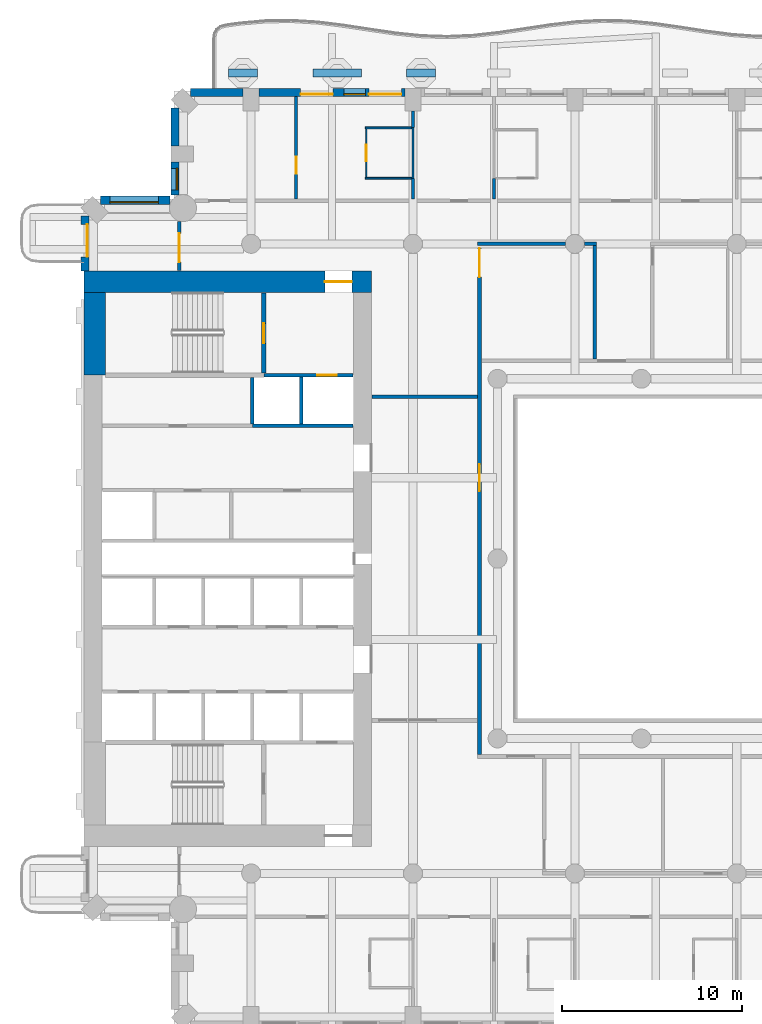
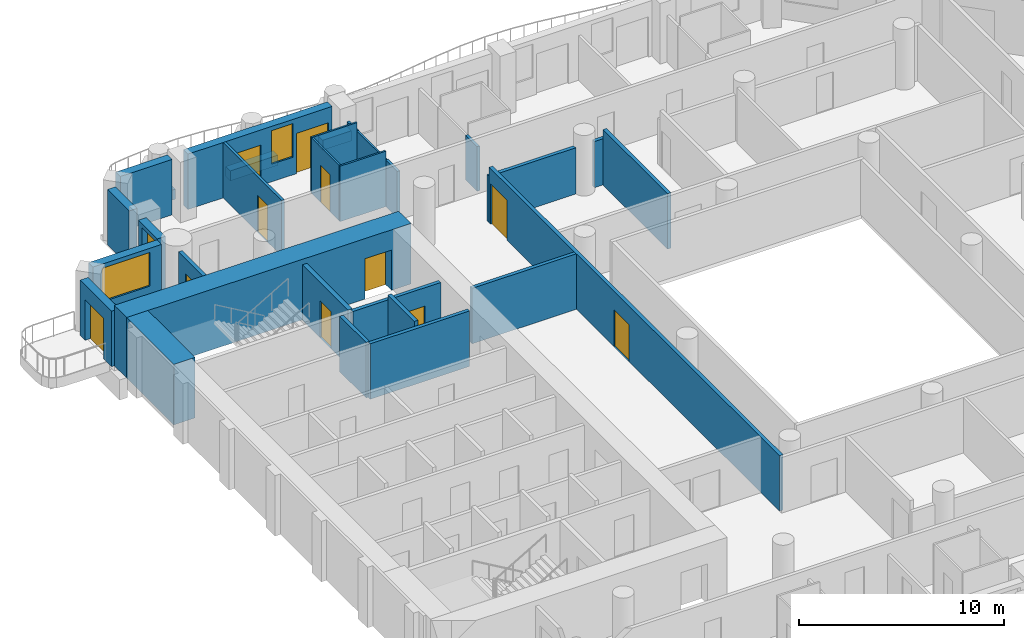
# One storey, part 7 of 19: 30 walls, 11 doors, 3 windows, 14 openings.
"""IFC4 building model written with IfcOpenShell, lengths in metres."""

from ifc_helpers import new_model, si_unit, direction, frame, frame_2d, origin, place, context, subcontext, project, spatial, rectangle, extrude, material, layer, layer_set, type_object, element, fill, save


model = new_model("IFC4")

# Units and contexts
model_context = context("Model", 3, precision=1e-05, world=origin(), true_north=direction((0.0, 1.0)))
body_context = subcontext(model_context, "Body", "Model", "MODEL_VIEW")
ifc_project = project(units=[si_unit("LENGTHUNIT", "METRE"), si_unit("AREAUNIT", "SQUARE_METRE"), si_unit("VOLUMEUNIT", "CUBIC_METRE"), si_unit("PLANEANGLEUNIT", "RADIAN"), si_unit("MASSUNIT", "GRAM", prefix="KILO")], contexts=[model_context])

# Site, building, storey
site_placement = place(None, origin())
site = spatial("IfcSite", under=ifc_project, at=site_placement, CompositionType="ELEMENT")
building_placement = place(site_placement, origin())
building = spatial("IfcBuilding", under=site, at=building_placement, Name="Cypress Arch Tower", CompositionType="ELEMENT")
storey_placement = place(building_placement, frame((0.0, 0.0, 105.89990234375)))
storey = spatial("IfcBuildingStorey", under=building, at=storey_placement, Name="L21", CompositionType="ELEMENT", Elevation=105.89990234375)

# Walls
ifc_material_1 = material(Name="Concrete C40/50, waterproofed", Category="concrete")
ifc_layer_1 = layer(ifc_material_1, 0.449951171875)
ifc_layer_set_1 = layer_set([ifc_layer_1], Name="Balcony planter wall PW450")
wall_type_1 = type_object("IfcWallType", Name="Balcony planter wall PW450", PredefinedType="SOLIDWALL", material=ifc_layer_set_1)
wall_1_placement = place(storey_placement, frame((-10.4375, 27.0, 0.0), z_axis=(0.0, 0.0, 1.0), x_axis=(-1.0, 0.0, 0.0)))
element("IfcWall", 1, at=wall_1_placement, inside=storey, type_object=wall_type_1, Name="Balcony planter wall L21-A08.4", PredefinedType="SOLIDWALL", context=body_context, shape_type="SweptSolid", body=[
    extrude(rectangle(XDim=1.612548828125, YDim=0.449951171875, at=frame_2d((0.80615234375, 0.0))), origin(), (0.0, 0.0, 1.0), 0.60009765625),
])
wall_2_placement = place(storey_placement, frame((-14.574951171875, 27.0, 0.0), z_axis=(0.0, 0.0, 1.0), x_axis=(-1.0, 0.0, 0.0)))
element("IfcWall", 2, at=wall_2_placement, inside=storey, type_object=wall_type_1, Name="Balcony planter wall L21-A08.5", PredefinedType="SOLIDWALL", context=body_context, shape_type="SweptSolid", body=[
    extrude(rectangle(XDim=2.675048828125, YDim=0.449951171875, at=frame_2d((1.33740234375, 0.0))), origin(), (0.0, 0.0, 1.0), 0.60009765625),
])
wall_3_placement = place(storey_placement, frame((-20.35009765625, 27.0, 0.0), z_axis=(0.0, 0.0, 1.0), x_axis=(-1.0, 0.0, 0.0)))
element("IfcWall", 3, at=wall_3_placement, inside=storey, type_object=wall_type_1, Name="Balcony planter wall L21-A08.6", PredefinedType="SOLIDWALL", context=body_context, shape_type="SweptSolid", body=[
    extrude(rectangle(XDim=1.599853515625, YDim=0.449951171875, at=frame_2d((0.7998046875, 0.0))), origin(), (0.0, 0.0, 1.0), 0.60009765625),
])

# Wall, opening, door
ifc_material_2 = material(Name="Brick (red buff blend)", Category="masonry")
ifc_layer_2 = layer(ifc_material_2, 0.449951171875)
ifc_layer_set_2 = layer_set([ifc_layer_2], Name="Brick pier and spandrel wall BW450")
wall_type_2 = type_object("IfcWallType", Name="Brick pier and spandrel wall BW450", PredefinedType="SOLIDWALL", material=ifc_layer_set_2)
wall_4_placement = place(storey_placement, frame((-29.925048828125, 19.063720703125, 0.0), z_axis=(0.0, 0.0, 1.0), x_axis=(0.0, -1.0, 0.0)))
wall_4 = element("IfcWall", 4, at=wall_4_placement, inside=storey, type_object=wall_type_2, Name="Brick wall L21 A00.0", PredefinedType="SOLIDWALL", context=body_context, shape_type="SweptSolid", body=[
    extrude(rectangle(XDim=3.063720703125, YDim=0.449951171875, at=frame_2d((1.53173828125, 0.0))), origin(), (0.0, 0.0, 1.0), 3.300048828125),
])
opening_1_placement = place(wall_4_placement, frame((0.481689453125, 0.0, 0.0)))
opening_1 = element("IfcOpeningElement", 5, at=opening_1_placement, cuts=wall_4, Name="Opening D-L21-A00.0.1", PredefinedType="OPENING", context=body_context, shape_type="SweptSolid", body=[
    extrude(rectangle(XDim=1.800048828125, YDim=2.39990234375, at=frame_2d((0.89990234375, 1.199951171875))), frame((0.0, 0.23486328125, 0.0), z_axis=(0.0, -1.0, 0.0), x_axis=(1.0, 0.0, 0.0)), (0.0, 0.0, 1.0), 0.469970703125),
])
ifc_material_3 = material(Name="Anodised aluminium, bronze finish, laminated low-emissivity double glazing, large-missile impact rated", Category="aluminium")
door_type_1 = type_object("IfcDoorType", Name="Balcony sliding door 1800x2400", OperationType="SLIDING_TO_LEFT", PredefinedType="DOOR", material=ifc_material_3)
door_1_placement = place(opening_1_placement, origin())
door_1 = element("IfcDoor", 6, at=door_1_placement, inside=storey, type_object=door_type_1, Name="Balcony door L21 A00.0.1", OperationType="SLIDING_TO_LEFT", OverallHeight=2.39990234375, OverallWidth=1.800048828125, PredefinedType="DOOR", context=body_context, shape_type="SweptSolid", body=[
    extrude(rectangle(XDim=1.800048828125, YDim=2.39990234375, at=frame_2d((0.89990234375, 1.199951171875))), frame((0.0, 0.1298828125, 0.0), z_axis=(0.0, -1.0, 0.0), x_axis=(1.0, 0.0, 0.0)), (0.0, 0.0, 1.0), 0.050048828125),
])
fill(opening_1, door_1)

# Wall, openings, doors, window
wall_5_placement = place(storey_placement, frame((-12.14990234375, 25.925048828125, 0.0), z_axis=(0.0, 0.0, 1.0), x_axis=(-1.0, 0.0, 0.0)))
wall_5 = element("IfcWall", 7, at=wall_5_placement, inside=storey, type_object=wall_type_2, Name="Brick wall L21 A08.3", PredefinedType="SOLIDWALL", context=body_context, shape_type="SweptSolid", body=[
    extrude(rectangle(XDim=8.10009765625, YDim=0.449951171875, at=frame_2d((4.050048828125, 0.0))), origin(), (0.0, 0.0, 1.0), 3.300048828125),
])
opening_2_placement = place(wall_5_placement, frame((0.199951171875, 0.0, 0.0)))
opening_2 = element("IfcOpeningElement", 8, at=opening_2_placement, cuts=wall_5, Name="Opening D-L21-A08.3.1", PredefinedType="OPENING", context=body_context, shape_type="SweptSolid", body=[
    extrude(rectangle(XDim=1.800048828125, YDim=2.39990234375, at=frame_2d((0.89990234375, 1.199951171875))), frame((0.0, 0.23486328125, 0.0), z_axis=(0.0, -1.0, 0.0), x_axis=(1.0, 0.0, 0.0)), (0.0, 0.0, 1.0), 0.469970703125),
])
opening_3_placement = place(wall_5_placement, frame((2.199951171875, 0.0, 1.050048828125)))
opening_3 = element("IfcOpeningElement", 9, at=opening_3_placement, cuts=wall_5, Name="Opening W120HD", PredefinedType="OPENING", context=body_context, shape_type="SweptSolid", body=[
    extrude(rectangle(XDim=1.199951171875, YDim=2.0, at=frame_2d((0.60009765625, 1.0))), frame((0.0, 0.23486328125, 0.0), z_axis=(0.0, -1.0, 0.0), x_axis=(1.0, 0.0, 0.0)), (0.0, 0.0, 1.0), 0.469970703125),
])
opening_4_placement = place(wall_5_placement, frame((4.0, 0.0, 0.0)))
opening_4 = element("IfcOpeningElement", 10, at=opening_4_placement, cuts=wall_5, Name="Opening D-L21-A08.3.2", PredefinedType="OPENING", context=body_context, shape_type="SweptSolid", body=[
    extrude(rectangle(XDim=1.800048828125, YDim=2.39990234375, at=frame_2d((0.89990234375, 1.199951171875))), frame((0.0, 0.23486328125, 0.0), z_axis=(0.0, -1.0, 0.0), x_axis=(1.0, 0.0, 0.0)), (0.0, 0.0, 1.0), 0.469970703125),
])
door_2_placement = place(opening_2_placement, origin())
door_2 = element("IfcDoor", 11, at=door_2_placement, inside=storey, type_object=door_type_1, Name="Balcony door L21 A08.3.1", OperationType="SLIDING_TO_LEFT", OverallHeight=2.39990234375, OverallWidth=1.800048828125, PredefinedType="DOOR", context=body_context, shape_type="SweptSolid", body=[
    extrude(rectangle(XDim=1.800048828125, YDim=2.39990234375, at=frame_2d((0.89990234375, 1.199951171875))), frame((0.0, 0.1298828125, 0.0), z_axis=(0.0, -1.0, 0.0), x_axis=(1.0, 0.0, 0.0)), (0.0, 0.0, 1.0), 0.050048828125),
])
fill(opening_2, door_2)
door_3_placement = place(opening_4_placement, origin())
door_3 = element("IfcDoor", 12, at=door_3_placement, inside=storey, type_object=door_type_1, Name="Balcony door L21 A08.3.2", OperationType="SLIDING_TO_LEFT", OverallHeight=2.39990234375, OverallWidth=1.800048828125, PredefinedType="DOOR", context=body_context, shape_type="SweptSolid", body=[
    extrude(rectangle(XDim=1.800048828125, YDim=2.39990234375, at=frame_2d((0.89990234375, 1.199951171875))), frame((0.0, 0.1298828125, 0.0), z_axis=(0.0, -1.0, 0.0), x_axis=(1.0, 0.0, 0.0)), (0.0, 0.0, 1.0), 0.050048828125),
])
fill(opening_4, door_3)
ifc_material_4 = material(Name="Anodised aluminium, bronze finish, laminated low-emissivity double glazing, large-missile impact rated", Category="aluminium")
window_type_1 = type_object("IfcWindowType", Name="Window Hotel 1200x2000 debris-rated", PartitioningType="SINGLE_PANEL", PredefinedType="WINDOW", material=ifc_material_4)
window_1_placement = place(opening_3_placement, origin())
window_1 = element("IfcWindow", 13, at=window_1_placement, inside=storey, type_object=window_type_1, Name="Window L21 A08.3.1", OverallHeight=2.0, OverallWidth=1.199951171875, PartitioningType="SINGLE_PANEL", PredefinedType="WINDOW", context=body_context, shape_type="SweptSolid", body=[
    extrude(rectangle(XDim=1.199951171875, YDim=2.0, at=frame_2d((0.60009765625, 1.0))), frame((0.0, 0.135009765625, 0.0), z_axis=(0.0, -1.0, 0.0), x_axis=(1.0, 0.0, 0.0)), (0.0, 0.0, 1.0), 0.06005859375),
])
fill(opening_3, window_1)

# Walls
wall_6_placement = place(storey_placement, frame((-21.14990234375, 25.925048828125, 0.0), z_axis=(0.0, 0.0, 1.0), x_axis=(-1.0, 0.0, 0.0)))
element("IfcWall", 14, at=wall_6_placement, inside=storey, type_object=wall_type_2, Name="Brick wall L21 A08.4", PredefinedType="SOLIDWALL", context=body_context, shape_type="SweptSolid", body=[
    extrude(rectangle(XDim=2.913818359375, YDim=0.449951171875, at=frame_2d((1.45703125, 0.0))), origin(), (0.0, 0.0, 1.0), 3.300048828125),
])
wall_7_placement = place(storey_placement, frame((-24.925048828125, 25.063720703125, 0.0), z_axis=(0.0, 0.0, 1.0), x_axis=(0.0, -1.0, 0.0)))
element("IfcWall", 15, at=wall_7_placement, inside=storey, type_object=wall_type_2, Name="Brick wall L21 A09.0", PredefinedType="SOLIDWALL", context=body_context, shape_type="SweptSolid", body=[
    extrude(rectangle(XDim=2.11376953125, YDim=0.449951171875, at=frame_2d((1.056884765625, 0.0))), origin(), (0.0, 0.0, 1.0), 3.300048828125),
])

# Wall, opening, window
wall_8_placement = place(storey_placement, frame((-24.925048828125, 22.050048828125, 0.0), z_axis=(0.0, 0.0, 1.0), x_axis=(0.0, -1.0, 0.0)))
wall_8 = element("IfcWall", 16, at=wall_8_placement, inside=storey, type_object=wall_type_2, Name="Brick wall L21 A09.1", PredefinedType="SOLIDWALL", context=body_context, shape_type="SweptSolid", body=[
    extrude(rectangle(XDim=1.843017578125, YDim=0.449951171875, at=frame_2d((0.92138671875, 0.0))), origin(), (0.0, 0.0, 1.0), 3.300048828125),
])
opening_5_placement = place(wall_8_placement, frame((0.35009765625, 0.0, 1.050048828125)))
opening_5 = element("IfcOpeningElement", 17, at=opening_5_placement, cuts=wall_8, Name="Opening W120H", PredefinedType="OPENING", context=body_context, shape_type="SweptSolid", body=[
    extrude(rectangle(XDim=1.199951171875, YDim=2.0, at=frame_2d((0.60009765625, 1.0))), frame((0.0, 0.23486328125, 0.0), z_axis=(0.0, -1.0, 0.0), x_axis=(1.0, 0.0, 0.0)), (0.0, 0.0, 1.0), 0.469970703125),
])
ifc_material_5 = material(Name="Anodised aluminium, bronze finish, clear low-emissivity double glazing", Category="aluminium")
window_type_2 = type_object("IfcWindowType", Name="Window Hotel 1200x2000", PartitioningType="SINGLE_PANEL", PredefinedType="WINDOW", material=ifc_material_5)
window_2_placement = place(opening_5_placement, origin())
window_2 = element("IfcWindow", 18, at=window_2_placement, inside=storey, type_object=window_type_2, Name="Window L21 A09.1.1", OverallHeight=2.0, OverallWidth=1.199951171875, PartitioningType="SINGLE_PANEL", PredefinedType="WINDOW", context=body_context, shape_type="SweptSolid", body=[
    extrude(rectangle(XDim=1.199951171875, YDim=2.0, at=frame_2d((0.60009765625, 1.0))), frame((0.0, 0.135009765625, 0.0), z_axis=(0.0, -1.0, 0.0), x_axis=(1.0, 0.0, 0.0)), (0.0, 0.0, 1.0), 0.06005859375),
])
fill(opening_5, window_2)

wall_9_placement = place(storey_placement, frame((-25.20703125, 19.925048828125, 0.0), z_axis=(0.0, 0.0, 1.0), x_axis=(-1.0, 0.0, 0.0)))
wall_9 = element("IfcWall", 19, at=wall_9_placement, inside=storey, type_object=wall_type_2, Name="Brick wall L21 A10.0", PredefinedType="SOLIDWALL", context=body_context, shape_type="SweptSolid", body=[
    extrude(rectangle(XDim=3.856689453125, YDim=0.449951171875, at=frame_2d((1.92822265625, 0.0))), origin(), (0.0, 0.0, 1.0), 3.300048828125),
])
opening_6_placement = place(wall_9_placement, frame((0.64306640625, 0.0, 1.050048828125)))
opening_6 = element("IfcOpeningElement", 20, at=opening_6_placement, cuts=wall_9, Name="Opening W270H", PredefinedType="OPENING", context=body_context, shape_type="SweptSolid", body=[
    extrude(rectangle(XDim=2.699951171875, YDim=2.0, at=frame_2d((1.35009765625, 1.0))), frame((0.0, 0.23486328125, 0.0), z_axis=(0.0, -1.0, 0.0), x_axis=(1.0, 0.0, 0.0)), (0.0, 0.0, 1.0), 0.469970703125),
])
ifc_material_6 = material(Name="Anodised aluminium, bronze finish, clear low-emissivity double glazing", Category="aluminium")
window_type_3 = type_object("IfcWindowType", Name="Window Hotel 2700x2000", PartitioningType="SINGLE_PANEL", PredefinedType="WINDOW", material=ifc_material_6)
window_3_placement = place(opening_6_placement, origin())
window_3 = element("IfcWindow", 21, at=window_3_placement, inside=storey, type_object=window_type_3, Name="Window L21 A10.0.1", OverallHeight=2.0, OverallWidth=2.699951171875, PartitioningType="SINGLE_PANEL", PredefinedType="WINDOW", context=body_context, shape_type="SweptSolid", body=[
    extrude(rectangle(XDim=2.699951171875, YDim=2.0, at=frame_2d((1.35009765625, 1.0))), frame((0.0, 0.135009765625, 0.0), z_axis=(0.0, -1.0, 0.0), x_axis=(1.0, 0.0, 0.0)), (0.0, 0.0, 1.0), 0.06005859375),
])
fill(opening_6, window_3)

# Wall, opening, door
ifc_material_7 = material(Name="Concrete C80/95", Category="concrete")
ifc_layer_3 = layer(ifc_material_7, 1.199951171875)
ifc_layer_set_3 = layer_set([ifc_layer_3], Name="Core wall CW1200 C80/95")
wall_type_3 = type_object("IfcWallType", Name="Core wall CW1200 C80/95", PredefinedType="SHEAR", material=ifc_layer_set_3)
wall_10_placement = place(storey_placement, frame((-30.0, 15.39990234375, 0.0), z_axis=(0.0, 0.0, 1.0), x_axis=(1.0, 0.0, 0.0)))
wall_10 = element("IfcWall", 22, at=wall_10_placement, inside=storey, type_object=wall_type_3, Name="Core wall", PredefinedType="SHEAR", context=body_context, shape_type="SweptSolid", body=[
    extrude(rectangle(XDim=16.0, YDim=1.199951171875, at=frame_2d((8.0, 0.0))), origin(), (0.0, 0.0, 1.0), 3.60009765625),
])
opening_7_placement = place(wall_10_placement, frame((13.39990234375, 0.0, 0.0)))
opening_7 = element("IfcOpeningElement", 23, at=opening_7_placement, cuts=wall_10, Name="Opening D07", PredefinedType="OPENING", context=body_context, shape_type="SweptSolid", body=[
    extrude(rectangle(XDim=1.5, YDim=2.39990234375, at=frame_2d((0.75, 1.199951171875))), frame((0.0, 0.60986328125, 0.0), z_axis=(0.0, -1.0, 0.0), x_axis=(1.0, 0.0, 0.0)), (0.0, 0.0, 1.0), 1.219970703125),
])
ifc_material_8 = material(Name="Steel framed glazed door, fire resisting", Category="steel")
door_type_2 = type_object("IfcDoorType", Name="Lobby door D07 1500x2400", OperationType="DOUBLE_DOOR_SINGLE_SWING", PredefinedType="DOOR", material=ifc_material_8)
door_4_placement = place(opening_7_placement, origin())
door_4 = element("IfcDoor", 24, at=door_4_placement, inside=storey, type_object=door_type_2, Name="Lobby door", OperationType="DOUBLE_DOOR_SINGLE_SWING", OverallHeight=2.39990234375, OverallWidth=1.5, PredefinedType="DOOR", context=body_context, shape_type="SweptSolid", body=[
    extrude(rectangle(XDim=1.5, YDim=2.39990234375, at=frame_2d((0.75, 1.199951171875))), frame((0.0, 0.02490234375, 0.0), z_axis=(0.0, -1.0, 0.0), x_axis=(1.0, 0.0, 0.0)), (0.0, 0.0, 1.0), 0.050048828125),
])
fill(opening_7, door_4)

# Wall
wall_11_placement = place(storey_placement, frame((-29.39990234375, 10.199951171875, 0.0), z_axis=(0.0, 0.0, 1.0), x_axis=(0.0, 1.0, 0.0)))
element("IfcWall", 25, at=wall_11_placement, inside=storey, type_object=wall_type_3, Name="Core wall", PredefinedType="SHEAR", context=body_context, shape_type="SweptSolid", body=[
    extrude(rectangle(XDim=4.60009765625, YDim=1.199951171875, at=frame_2d((2.300048828125, 0.0))), origin(), (0.0, 0.0, 1.0), 3.60009765625),
])

# Wall, opening, door
ifc_material_9 = material(Name="Concrete blockwork, plastered, rated", Category="masonry")
ifc_layer_4 = layer(ifc_material_9, 0.199951171875)
ifc_layer_set_4 = layer_set([ifc_layer_4], Name="Corridor wall FW200")
wall_type_4 = type_object("IfcWallType", Name="Corridor wall FW200", PredefinedType="PARTITIONING", material=ifc_layer_set_4)
wall_12_placement = place(storey_placement, frame((-24.699951171875, 16.030029296875, 0.0), z_axis=(0.0, 0.0, 1.0), x_axis=(0.0, 1.0, 0.0)))
wall_12 = element("IfcWall", 26, at=wall_12_placement, inside=storey, type_object=wall_type_4, Name="Corridor wall", PredefinedType="PARTITIONING", context=body_context, shape_type="SweptSolid", body=[
    extrude(rectangle(XDim=2.72216796875, YDim=0.199951171875, at=frame_2d((1.361083984375, 0.0))), origin(), (0.0, 0.0, 1.0), 3.300048828125),
])
opening_8_placement = place(wall_12_placement, frame((0.449951171875, 0.0, 0.0)))
opening_8 = element("IfcOpeningElement", 27, at=opening_8_placement, cuts=wall_12, Name="Opening D10", PredefinedType="OPENING", context=body_context, shape_type="SweptSolid", body=[
    extrude(rectangle(XDim=1.60009765625, YDim=2.39990234375, at=frame_2d((0.800048828125, 1.199951171875))), frame((0.0, 0.10986328125, 0.0), z_axis=(0.0, -1.0, 0.0), x_axis=(1.0, 0.0, 0.0)), (0.0, 0.0, 1.0), 0.219970703125),
])
ifc_material_10 = material(Name="Black aluminium glazed door", Category="aluminium")
door_type_3 = type_object("IfcDoorType", Name="Amenity door D10 1600x2400", OperationType="DOUBLE_DOOR_SINGLE_SWING", PredefinedType="DOOR", material=ifc_material_10)
door_5_placement = place(opening_8_placement, origin())
door_5 = element("IfcDoor", 28, at=door_5_placement, inside=storey, type_object=door_type_3, Name="Amenity door", OperationType="DOUBLE_DOOR_SINGLE_SWING", OverallHeight=2.39990234375, OverallWidth=1.60009765625, PredefinedType="DOOR", context=body_context, shape_type="SweptSolid", body=[
    extrude(rectangle(XDim=1.60009765625, YDim=2.39990234375, at=frame_2d((0.800048828125, 1.199951171875))), frame((0.0, 0.02490234375, 0.0), z_axis=(0.0, -1.0, 0.0), x_axis=(1.0, 0.0, 0.0)), (0.0, 0.0, 1.0), 0.050048828125),
])
fill(opening_8, door_5)

# Wall
wall_13_placement = place(storey_placement, frame((-13.969970703125, 9.0, 0.0), z_axis=(0.0, 0.0, 1.0), x_axis=(1.0, 0.0, 0.0)))
element("IfcWall", 29, at=wall_13_placement, inside=storey, type_object=wall_type_4, Name="Corridor wall", PredefinedType="PARTITIONING", context=body_context, shape_type="SweptSolid", body=[
    extrude(rectangle(XDim=5.869873046875, YDim=0.199951171875, at=frame_2d((2.93505859375, 0.0))), origin(), (0.0, 0.0, 1.0), 3.300048828125),
])

# Wall, openings, doors
wall_14_placement = place(storey_placement, frame((-8.0, -10.89990234375, 0.0), z_axis=(0.0, 0.0, 1.0), x_axis=(0.0, 1.0, 0.0)))
wall_14 = element("IfcWall", 30, at=wall_14_placement, inside=storey, type_object=wall_type_4, Name="Corridor wall", PredefinedType="PARTITIONING", context=body_context, shape_type="SweptSolid", body=[
    extrude(rectangle(XDim=28.2998046875, YDim=0.199951171875, at=frame_2d((14.14990234375, 0.0))), origin(), (0.0, 0.0, 1.0), 3.300048828125),
])
opening_9_placement = place(wall_14_placement, frame((14.64990234375, 0.0, 0.0)))
opening_9 = element("IfcOpeningElement", 31, at=opening_9_placement, cuts=wall_14, Name="Opening D04", PredefinedType="OPENING", context=body_context, shape_type="SweptSolid", body=[
    extrude(rectangle(XDim=1.5, YDim=2.199951171875, at=frame_2d((0.75, 1.10009765625))), frame((0.0, 0.10986328125, 0.0), z_axis=(0.0, -1.0, 0.0), x_axis=(1.0, 0.0, 0.0)), (0.0, 0.0, 1.0), 0.219970703125),
])
opening_10_placement = place(wall_14_placement, frame((26.550048828125, 0.0, 0.0)))
opening_10 = element("IfcOpeningElement", 32, at=opening_10_placement, cuts=wall_14, Name="Opening D10", PredefinedType="OPENING", context=body_context, shape_type="SweptSolid", body=[
    extrude(rectangle(XDim=1.60009765625, YDim=2.39990234375, at=frame_2d((0.800048828125, 1.199951171875))), frame((0.0, 0.10986328125, 0.0), z_axis=(0.0, -1.0, 0.0), x_axis=(1.0, 0.0, 0.0)), (0.0, 0.0, 1.0), 0.219970703125),
])
door_6_placement = place(opening_10_placement, origin())
door_6 = element("IfcDoor", 33, at=door_6_placement, inside=storey, type_object=door_type_3, Name="Amenity door", OperationType="DOUBLE_DOOR_SINGLE_SWING", OverallHeight=2.39990234375, OverallWidth=1.60009765625, PredefinedType="DOOR", context=body_context, shape_type="SweptSolid", body=[
    extrude(rectangle(XDim=1.60009765625, YDim=2.39990234375, at=frame_2d((0.800048828125, 1.199951171875))), frame((0.0, 0.02490234375, 0.0), z_axis=(0.0, -1.0, 0.0), x_axis=(1.0, 0.0, 0.0)), (0.0, 0.0, 1.0), 0.050048828125),
])
fill(opening_10, door_6)
ifc_material_11 = material(Name="Timber double door", Category="wood")
door_type_4 = type_object("IfcDoorType", Name="Double door D04 1500x2200", OperationType="DOUBLE_DOOR_SINGLE_SWING", PredefinedType="DOOR", material=ifc_material_11)
door_7_placement = place(opening_9_placement, origin())
door_7 = element("IfcDoor", 34, at=door_7_placement, inside=storey, type_object=door_type_4, Name="Double door", OperationType="DOUBLE_DOOR_SINGLE_SWING", OverallHeight=2.199951171875, OverallWidth=1.5, PredefinedType="DOOR", context=body_context, shape_type="SweptSolid", body=[
    extrude(rectangle(XDim=1.5, YDim=2.199951171875, at=frame_2d((0.75, 1.10009765625))), frame((0.0, 0.02490234375, 0.0), z_axis=(0.0, -1.0, 0.0), x_axis=(1.0, 0.0, 0.0)), (0.0, 0.0, 1.0), 0.050048828125),
])
fill(opening_9, door_7)

# Walls
wall_15_placement = place(storey_placement, frame((-8.10009765625, 17.5, 0.0), z_axis=(0.0, 0.0, 1.0), x_axis=(1.0, 0.0, 0.0)))
element("IfcWall", 35, at=wall_15_placement, inside=storey, type_object=wall_type_4, Name="Corridor wall", PredefinedType="PARTITIONING", context=body_context, shape_type="SweptSolid", body=[
    extrude(rectangle(XDim=4.875, YDim=0.199951171875, at=frame_2d((2.4375, 0.0))), origin(), (0.0, 0.0, 1.0), 2.75),
])
wall_16_placement = place(storey_placement, frame((-2.175048828125, 17.5, 0.0), z_axis=(0.0, 0.0, 1.0), x_axis=(1.0, 0.0, 0.0)))
element("IfcWall", 36, at=wall_16_placement, inside=storey, type_object=wall_type_4, Name="Corridor wall", PredefinedType="PARTITIONING", context=body_context, shape_type="SweptSolid", body=[
    extrude(rectangle(XDim=0.675048828125, YDim=0.199951171875, at=frame_2d((0.33740234375, 0.0))), origin(), (0.0, 0.0, 1.0), 2.75),
])
wall_17_placement = place(storey_placement, frame((-1.60009765625, 11.10009765625, 0.0), z_axis=(0.0, 0.0, 1.0), x_axis=(0.0, 1.0, 0.0)))
element("IfcWall", 37, at=wall_17_placement, inside=storey, type_object=wall_type_4, Name="Corridor wall", PredefinedType="PARTITIONING", context=body_context, shape_type="SweptSolid", body=[
    extrude(rectangle(XDim=6.2998046875, YDim=0.199951171875, at=frame_2d((3.14990234375, 0.0))), origin(), (0.0, 0.0, 1.0), 3.300048828125),
])

# Wall, opening, door
ifc_material_12 = material(Name="Blockwork, plastered both sides", Category="masonry")
ifc_layer_5 = layer(ifc_material_12, 0.14990234375)
ifc_layer_set_5 = layer_set([ifc_layer_5], Name="Partition PW150")
wall_type_5 = type_object("IfcWallType", Name="Partition PW150", PredefinedType="PARTITIONING", material=ifc_layer_set_5)
wall_18_placement = place(storey_placement, frame((-18.199951171875, 20.0, 0.0), z_axis=(0.0, 0.0, 1.0), x_axis=(0.0, 1.0, 0.0)))
wall_18 = element("IfcWall", 38, at=wall_18_placement, inside=storey, type_object=wall_type_5, Name="Partition", PredefinedType="PARTITIONING", context=body_context, shape_type="SweptSolid", body=[
    extrude(rectangle(XDim=5.699951171875, YDim=0.14990234375, at=frame_2d((2.85009765625, 0.0))), origin(), (0.0, 0.0, 1.0), 3.300048828125),
])
opening_11_placement = place(wall_18_placement, frame((1.39990234375, 0.0, 0.0)))
opening_11 = element("IfcOpeningElement", 39, at=opening_11_placement, cuts=wall_18, Name="Opening D12", PredefinedType="OPENING", context=body_context, shape_type="SweptSolid", body=[
    extrude(rectangle(XDim=0.949951171875, YDim=2.199951171875, at=frame_2d((0.47509765625, 1.10009765625))), frame((0.0, 0.0849609375, 0.0), z_axis=(0.0, -1.0, 0.0), x_axis=(1.0, 0.0, 0.0)), (0.0, 0.0, 1.0), 0.169921875),
])
ifc_material_13 = material(Name="Timber flush door", Category="wood")
door_type_5 = type_object("IfcDoorType", Name="Room door D12 950x2200", OperationType="SINGLE_SWING_LEFT", PredefinedType="DOOR", material=ifc_material_13)
door_8_placement = place(opening_11_placement, origin())
door_8 = element("IfcDoor", 40, at=door_8_placement, inside=storey, type_object=door_type_5, Name="Room door", OperationType="SINGLE_SWING_LEFT", OverallHeight=2.199951171875, OverallWidth=0.949951171875, PredefinedType="DOOR", context=body_context, shape_type="SweptSolid", body=[
    extrude(rectangle(XDim=0.949951171875, YDim=2.199951171875, at=frame_2d((0.47509765625, 1.10009765625))), frame((0.0, 0.02490234375, 0.0), z_axis=(0.0, -1.0, 0.0), x_axis=(1.0, 0.0, 0.0)), (0.0, 0.0, 1.0), 0.050048828125),
])
fill(opening_11, door_8)

# Walls
wall_19_placement = place(storey_placement, frame((-11.699951171875, 20.0, 0.0), z_axis=(0.0, 0.0, 1.0), x_axis=(0.0, 1.0, 0.0)))
element("IfcWall", 41, at=wall_19_placement, inside=storey, type_object=wall_type_5, Name="Partition", PredefinedType="PARTITIONING", context=body_context, shape_type="SweptSolid", body=[
    extrude(rectangle(XDim=1.1298828125, YDim=0.14990234375, at=frame_2d((0.56494140625, 0.0))), origin(), (0.0, 0.0, 1.0), 2.75),
])
wall_20_placement = place(storey_placement, frame((-11.699951171875, 23.969970703125, 0.0), z_axis=(0.0, 0.0, 1.0), x_axis=(0.0, 1.0, 0.0)))
element("IfcWall", 42, at=wall_20_placement, inside=storey, type_object=wall_type_5, Name="Partition", PredefinedType="PARTITIONING", context=body_context, shape_type="SweptSolid", body=[
    extrude(rectangle(XDim=0.929931640625, YDim=0.14990234375, at=frame_2d((0.46484375, 0.0))), origin(), (0.0, 0.0, 1.0), 2.75),
])
wall_21_placement = place(storey_placement, frame((-7.199951171875, 20.0, 0.0), z_axis=(0.0, 0.0, 1.0), x_axis=(0.0, 1.0, 0.0)))
element("IfcWall", 43, at=wall_21_placement, inside=storey, type_object=wall_type_5, Name="Partition", PredefinedType="PARTITIONING", context=body_context, shape_type="SweptSolid", body=[
    extrude(rectangle(XDim=1.1298828125, YDim=0.14990234375, at=frame_2d((0.56494140625, 0.0))), origin(), (0.0, 0.0, 1.0), 2.650146484375),
])
ifc_material_14 = material(Name="Concrete C50/60", Category="concrete")
ifc_layer_6 = layer(ifc_material_14, 0.199951171875)
ifc_layer_set_6 = layer_set([ifc_layer_6], Name="Shaft wall SH200")
wall_type_6 = type_object("IfcWallType", Name="Shaft wall SH200", PredefinedType="SHEAR", material=ifc_layer_set_6)
wall_22_placement = place(storey_placement, frame((-20.639892578125, 7.5, 0.0), z_axis=(0.0, 0.0, 1.0), x_axis=(0.0, 1.0, 0.0)))
element("IfcWall", 44, at=wall_22_placement, inside=storey, type_object=wall_type_6, Name="Shaft wall", PredefinedType="SHEAR", context=body_context, shape_type="SweptSolid", body=[
    extrude(rectangle(XDim=2.574951171875, YDim=0.199951171875, at=frame_2d((1.28759765625, 0.0))), origin(), (0.0, 0.0, 1.0), 3.300048828125),
])
wall_23_placement = place(storey_placement, frame((-20.6201171875, 7.39990234375, 0.0), z_axis=(0.0, 0.0, 1.0), x_axis=(1.0, 0.0, 0.0)))
element("IfcWall", 45, at=wall_23_placement, inside=storey, type_object=wall_type_6, Name="Shaft wall", PredefinedType="SHEAR", context=body_context, shape_type="SweptSolid", body=[
    extrude(rectangle(XDim=5.590087890625, YDim=0.199951171875, at=frame_2d((2.794921875, 0.0))), origin(), (0.0, 0.0, 1.0), 3.300048828125),
])

# Wall, opening, door
wall_24_placement = place(storey_placement, frame((-19.97998046875, 10.199951171875, 0.0), z_axis=(0.0, 0.0, 1.0), x_axis=(1.0, 0.0, 0.0)))
wall_24 = element("IfcWall", 46, at=wall_24_placement, inside=storey, type_object=wall_type_6, Name="Shaft wall", PredefinedType="SHEAR", context=body_context, shape_type="SweptSolid", body=[
    extrude(rectangle(XDim=4.949951171875, YDim=0.199951171875, at=frame_2d((2.47509765625, 0.0))), origin(), (0.0, 0.0, 1.0), 3.300048828125),
])
opening_12_placement = place(wall_24_placement, frame((2.949951171875, 0.0, 0.0)))
opening_12 = element("IfcOpeningElement", 47, at=opening_12_placement, cuts=wall_24, Name="Opening LD-FL2", PredefinedType="OPENING", context=body_context, shape_type="SweptSolid", body=[
    extrude(rectangle(XDim=1.10009765625, YDim=2.199951171875, at=frame_2d((0.550048828125, 1.10009765625))), frame((0.0, 0.10986328125, 0.0), z_axis=(0.0, -1.0, 0.0), x_axis=(1.0, 0.0, 0.0)), (0.0, 0.0, 1.0), 0.219970703125),
])
ifc_material_15 = material(Name="Stainless steel centre-opening landing door, rated", Category="steel")
door_type_6 = type_object("IfcDoorType", Name="Lift landing door LD 1100x2200", OperationType="DOUBLE_DOOR_SLIDING", PredefinedType="DOOR", material=ifc_material_15)
door_9_placement = place(opening_12_placement, origin())
door_9 = element("IfcDoor", 48, at=door_9_placement, inside=storey, type_object=door_type_6, Name="Lift landing doors FL2", OperationType="DOUBLE_DOOR_SLIDING", OverallHeight=2.199951171875, OverallWidth=1.10009765625, PredefinedType="DOOR", context=body_context, shape_type="SweptSolid", body=[
    extrude(rectangle(XDim=1.10009765625, YDim=2.199951171875, at=frame_2d((0.550048828125, 1.10009765625))), frame((0.0, 0.02490234375, 0.0), z_axis=(0.0, -1.0, 0.0), x_axis=(1.0, 0.0, 0.0)), (0.0, 0.0, 1.0), 0.050048828125),
])
fill(opening_12, door_9)

# Wall
wall_25_placement = place(storey_placement, frame((-17.919921875, 7.5, 0.0), z_axis=(0.0, 0.0, 1.0), x_axis=(0.0, 1.0, 0.0)))
element("IfcWall", 49, at=wall_25_placement, inside=storey, type_object=wall_type_6, Name="Shaft wall", PredefinedType="SHEAR", context=body_context, shape_type="SweptSolid", body=[
    extrude(rectangle(XDim=2.60009765625, YDim=0.199951171875, at=frame_2d((1.300048828125, 0.0))), origin(), (0.0, 0.0, 1.0), 3.60009765625),
])

# Wall, opening, door
ifc_material_16 = material(Name="Concrete C50/60", Category="concrete")
ifc_layer_7 = layer(ifc_material_16, 0.25)
ifc_layer_set_7 = layer_set([ifc_layer_7], Name="Stair enclosure wall SW250")
wall_type_7 = type_object("IfcWallType", Name="Stair enclosure wall SW250", PredefinedType="SHEAR", material=ifc_layer_set_7)
wall_26_placement = place(storey_placement, frame((-20.0, 10.324951171875, 0.0), z_axis=(0.0, 0.0, 1.0), x_axis=(0.0, 1.0, 0.0)))
wall_26 = element("IfcWall", 50, at=wall_26_placement, inside=storey, type_object=wall_type_7, Name="Stair enclosure wall", PredefinedType="SHEAR", context=body_context, shape_type="SweptSolid", body=[
    extrude(rectangle(XDim=4.445068359375, YDim=0.25, at=frame_2d((2.22265625, 0.0))), origin(), (0.0, 0.0, 1.0), 3.300048828125),
])
opening_13_placement = place(wall_26_placement, frame((1.64990234375, 0.0, 0.0)))
opening_13 = element("IfcOpeningElement", 51, at=opening_13_placement, cuts=wall_26, Name="Opening D06", PredefinedType="OPENING", context=body_context, shape_type="SweptSolid", body=[
    extrude(rectangle(XDim=1.10009765625, YDim=2.199951171875, at=frame_2d((0.550048828125, 1.10009765625))), frame((0.0, 0.135009765625, 0.0), z_axis=(0.0, -1.0, 0.0), x_axis=(1.0, 0.0, 0.0)), (0.0, 0.0, 1.0), 0.27001953125),
])
ifc_material_17 = material(Name="Steel door, fire resisting, panic bar", Category="steel")
door_type_7 = type_object("IfcDoorType", Name="Stair door D06 1100x2200", OperationType="SINGLE_SWING_LEFT", PredefinedType="DOOR", material=ifc_material_17)
door_10_placement = place(opening_13_placement, origin())
door_10 = element("IfcDoor", 52, at=door_10_placement, inside=storey, type_object=door_type_7, Name="Stair door", OperationType="SINGLE_SWING_LEFT", OverallHeight=2.199951171875, OverallWidth=1.10009765625, PredefinedType="DOOR", context=body_context, shape_type="SweptSolid", body=[
    extrude(rectangle(XDim=1.10009765625, YDim=2.199951171875, at=frame_2d((0.550048828125, 1.10009765625))), frame((0.0, 0.02490234375, 0.0), z_axis=(0.0, -1.0, 0.0), x_axis=(1.0, 0.0, 0.0)), (0.0, 0.0, 1.0), 0.050048828125),
])
fill(opening_13, door_10)

ifc_material_18 = material(Name="Moisture resistant board on steel studs, tiled", Category="steel")
ifc_layer_8 = layer(ifc_material_18, 0.10009765625)
ifc_layer_set_8 = layer_set([ifc_layer_8], Name="Wet wall PW100")
wall_type_8 = type_object("IfcWallType", Name="Wet wall PW100", PredefinedType="PARTITIONING", material=ifc_layer_set_8)
wall_27_placement = place(storey_placement, frame((-14.2958984375, 21.199951171875, 0.0), z_axis=(0.0, 0.0, 1.0), x_axis=(0.0, 1.0, 0.0)))
wall_27 = element("IfcWall", 53, at=wall_27_placement, inside=storey, type_object=wall_type_8, Name="Wet wall", PredefinedType="PARTITIONING", context=body_context, shape_type="SweptSolid", body=[
    extrude(rectangle(XDim=2.699951171875, YDim=0.10009765625, at=frame_2d((1.35009765625, 0.0))), origin(), (0.0, 0.0, 1.0), 3.300048828125),
])
opening_14_placement = place(wall_27_placement, frame((0.89990234375, 0.0, 0.0)))
opening_14 = element("IfcOpeningElement", 54, at=opening_14_placement, cuts=wall_27, Name="Opening D03", PredefinedType="OPENING", context=body_context, shape_type="SweptSolid", body=[
    extrude(rectangle(XDim=0.89990234375, YDim=2.199951171875, at=frame_2d((0.449951171875, 1.10009765625))), frame((0.0, 0.06005859375, 0.0), z_axis=(0.0, -1.0, 0.0), x_axis=(1.0, 0.0, 0.0)), (0.0, 0.0, 1.0), 0.1201171875),
])
ifc_material_19 = material(Name="Timber flush door, moisture resistant", Category="wood")
door_type_8 = type_object("IfcDoorType", Name="Bathroom door D03 900x2200", OperationType="SINGLE_SWING_LEFT", PredefinedType="DOOR", material=ifc_material_19)
door_11_placement = place(opening_14_placement, origin())
door_11 = element("IfcDoor", 55, at=door_11_placement, inside=storey, type_object=door_type_8, Name="Bathroom door", OperationType="SINGLE_SWING_LEFT", OverallHeight=2.199951171875, OverallWidth=0.89990234375, PredefinedType="DOOR", context=body_context, shape_type="SweptSolid", body=[
    extrude(rectangle(XDim=0.89990234375, YDim=2.199951171875, at=frame_2d((0.449951171875, 1.10009765625))), frame((0.0, 0.02490234375, 0.0), z_axis=(0.0, -1.0, 0.0), x_axis=(1.0, 0.0, 0.0)), (0.0, 0.0, 1.0), 0.050048828125),
])
fill(opening_14, door_11)

# Walls
for number, where, z_axis, x_axis, name in (
    (56, (-14.345947265625, 21.14990234375, 0.0), (0.0, 0.0, 1.0), (1.0, 0.0, 0.0), "Wet wall"),
    (57, (-14.345947265625, 23.949951171875, 0.0), (0.0, 0.0, 1.0), (1.0, 0.0, 0.0), "Wet wall"),
):
    element("IfcWall", number, at=place(storey_placement, frame(where, z_axis=z_axis, x_axis=x_axis)), inside=storey, type_object=wall_type_8, Name=name, PredefinedType="PARTITIONING", context=body_context, shape_type="SweptSolid", body=[
        extrude(rectangle(XDim=2.571044921875, YDim=0.10009765625, at=frame_2d((1.28564453125, 0.0))), origin(), (0.0, 0.0, 1.0), 3.300048828125),
    ])
wall_28_placement = place(storey_placement, frame((-11.699951171875, 21.1298828125, 0.0), z_axis=(0.0, 0.0, 1.0), x_axis=(0.0, 1.0, 0.0)))
element("IfcWall", 58, at=wall_28_placement, inside=storey, type_object=wall_type_8, Name="Wet wall", PredefinedType="PARTITIONING", context=body_context, shape_type="SweptSolid", body=[
    extrude(rectangle(XDim=2.840087890625, YDim=0.10009765625, at=frame_2d((1.419921875, 0.0))), origin(), (0.0, 0.0, 1.0), 2.75),
])

save(model, "model.ifc")
